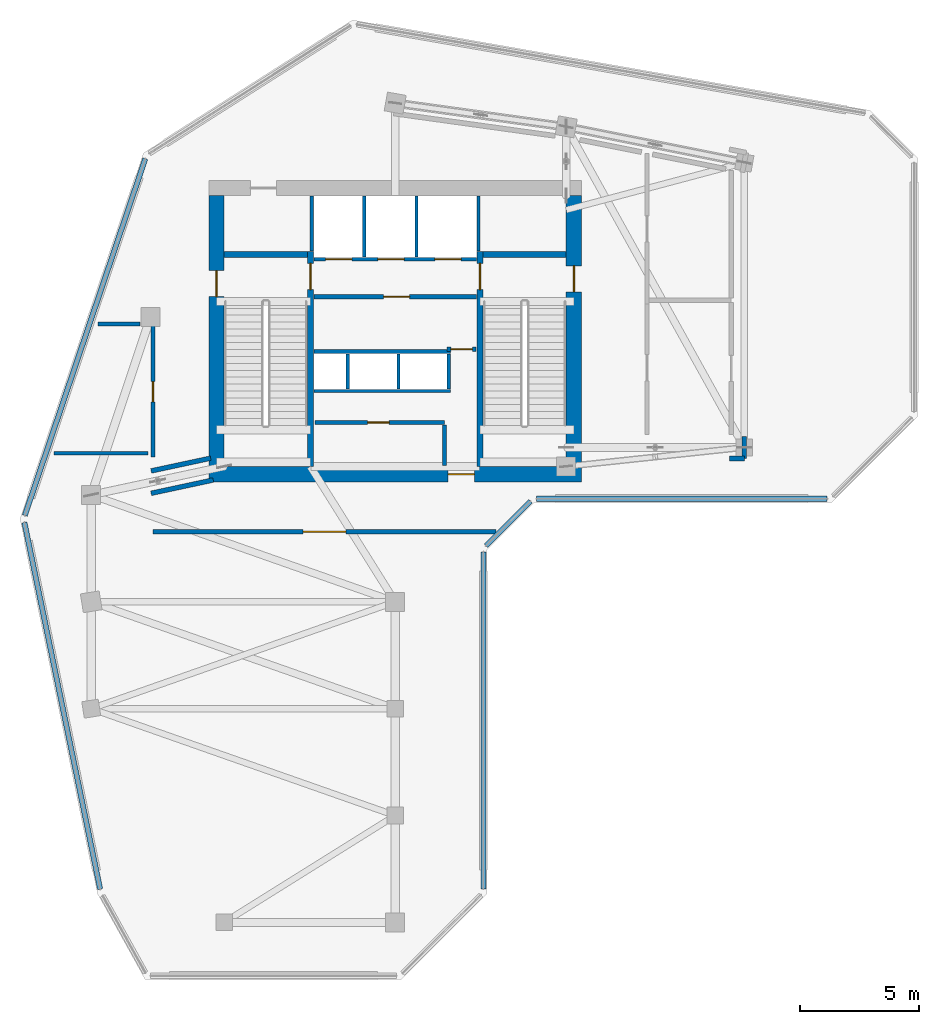
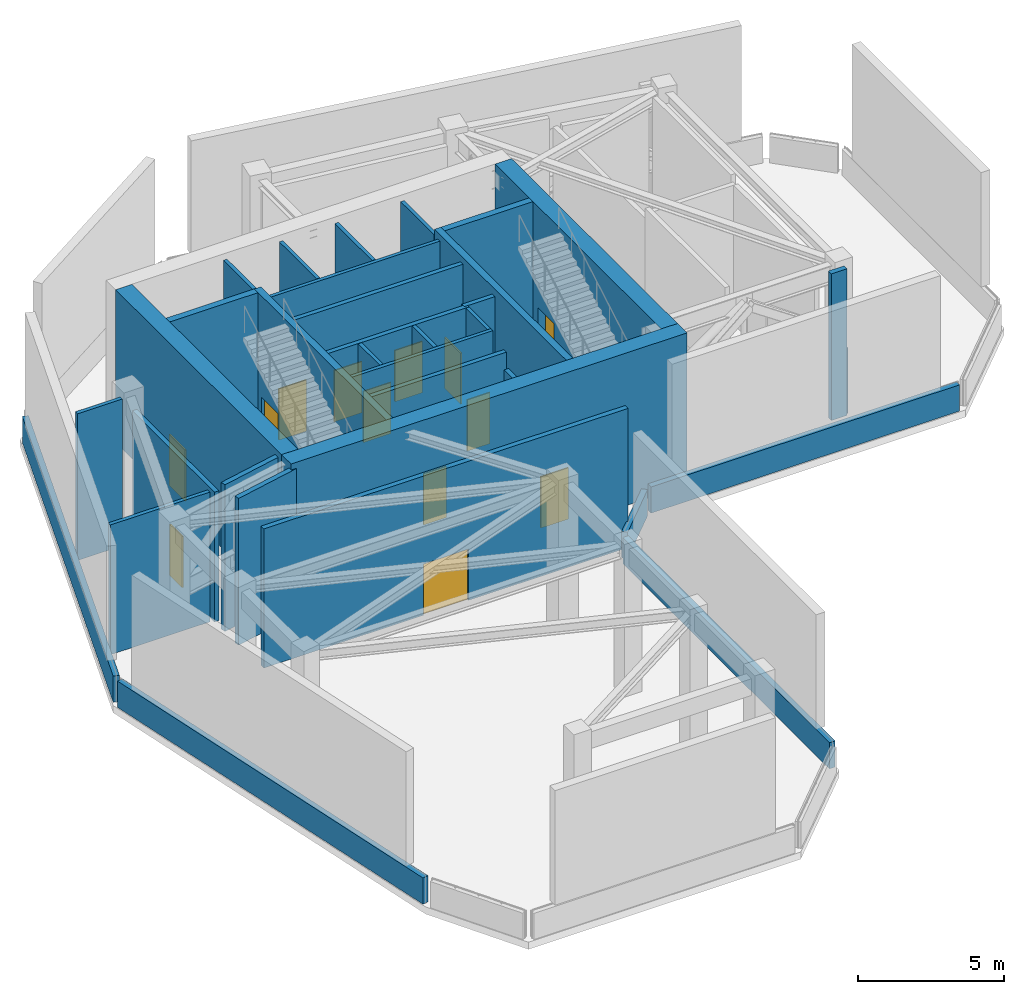
# One storey, part 6 of 10: 34 walls, 13 doors, 13 openings.
"""IFC4 building model written with IfcOpenShell, lengths in metres."""

from ifc_helpers import new_model, si_unit, direction, frame, frame_2d, origin, place, context, subcontext, project, spatial, rectangle, extrude, source, transform, mapped, material, layer, layer_set, type_object, element, fill, save


model = new_model("IFC4")

# Units and contexts
model_context = context("Model", 3, precision=1e-05, world=origin(), true_north=direction((0.0, 1.0)))
body_context = subcontext(model_context, "Body", "Model", "MODEL_VIEW")
ifc_project = project(units=[si_unit("LENGTHUNIT", "METRE"), si_unit("AREAUNIT", "SQUARE_METRE"), si_unit("VOLUMEUNIT", "CUBIC_METRE"), si_unit("PLANEANGLEUNIT", "RADIAN"), si_unit("MASSUNIT", "GRAM", prefix="KILO")], contexts=[model_context])

# Site, building, storey
site_placement = place(None, origin())
site = spatial("IfcSite", under=ifc_project, at=site_placement, CompositionType="ELEMENT")
building_placement = place(site_placement, origin())
building = spatial("IfcBuilding", under=site, at=building_placement, Name="Calvemar Wedge Station Tower", CompositionType="ELEMENT")
storey_placement = place(building_placement, frame((0.0, 0.0, 242.89990234375)))
storey = spatial("IfcBuildingStorey", under=building, at=storey_placement, Name="L62", CompositionType="ELEMENT", Elevation=242.89990234375)

# Wall, opening, door
ifc_material_1 = material(Name="Concrete C50", Category="concrete")
ifc_layer_1 = layer(ifc_material_1, 0.260009765625)
ifc_layer_set_1 = layer_set([ifc_layer_1], Name="Concrete C50")
wall_type_1 = type_object("IfcWallType", Name="SW-CORE-260", PredefinedType="SHEAR", material=ifc_layer_set_1)
wall_1_placement = place(storey_placement, frame((20.22998046875, 34.199951171875, 0.0), z_axis=(0.0, 0.0, 1.0), x_axis=(0.0, 1.0, 0.0)))
wall_1 = element("IfcWall", 1, at=wall_1_placement, inside=storey, type_object=wall_type_1, Name="Storey L62 Core Shear Wall SPINE-W", PredefinedType="SHEAR", context=body_context, shape_type="SweptSolid", body=[
    extrude(rectangle(XDim=9.06005859375, YDim=0.260009765625, at=frame_2d((4.530029296875, 0.0))), origin(), (0.0, 0.0, 1.0), 6.400146484375),
])
shared_shape_1 = source(origin(), body_context, "Body", "SweptSolid", [
    extrude(rectangle(XDim=1.10009765625, YDim=2.14990234375, at=frame_2d((0.550048828125, 1.074951171875))), frame((0.0, 0.14013671875, 0.0), z_axis=(0.0, -1.0, 0.0), x_axis=(1.0, 0.0, 0.0)), (0.0, 0.0, 1.0), 0.280029296875),
])
opening_1_placement = place(wall_1_placement, frame((7.449951171875, 0.0, 0.0)))
opening_1 = element("IfcOpeningElement", 2, at=opening_1_placement, cuts=wall_1, Name="Opening FD-90", PredefinedType="OPENING", context=body_context, shape_type="MappedRepresentation", body=[
    mapped(shared_shape_1, transform((0.0, 0.0, 0.0), scale=1.0)),
])
ifc_material_2 = material(Name="Galvanized fire-rated steel door leaf P-90", Category="steel")
door_type_1 = type_object("IfcDoorType", Name="DR-FD90-1100", OperationType="NOTDEFINED", PredefinedType="DOOR", material=ifc_material_2)
shared_shape_2 = source(origin(), body_context, "Body", "SweptSolid", [
    extrude(rectangle(XDim=1.10009765625, YDim=2.14990234375, at=frame_2d((0.550048828125, 1.074951171875))), frame((0.0, 0.02490234375, 0.0), z_axis=(0.0, -1.0, 0.0), x_axis=(1.0, 0.0, 0.0)), (0.0, 0.0, 1.0), 0.050048828125),
])
door_1_placement = place(opening_1_placement, origin())
door_1 = element("IfcDoor", 3, at=door_1_placement, inside=storey, type_object=door_type_1, Name="L62 FF Lobby to Stair ST-C1 Door", OperationType="SINGLE_SWING_RIGHT", OverallHeight=2.14990234375, OverallWidth=1.10009765625, PredefinedType="DOOR", context=body_context, shape_type="MappedRepresentation", body=[
    mapped(shared_shape_2, transform((0.0, 0.0, 0.0), scale=1.0)),
])
fill(opening_1, door_1)

wall_2_placement = place(storey_placement, frame((27.3701171875, 34.199951171875, 0.0), z_axis=(0.0, 0.0, 1.0), x_axis=(0.0, 1.0, 0.0)))
wall_2 = element("IfcWall", 4, at=wall_2_placement, inside=storey, type_object=wall_type_1, Name="Storey L62 Core Shear Wall SPINE-E", PredefinedType="SHEAR", context=body_context, shape_type="SweptSolid", body=[
    extrude(rectangle(XDim=9.06005859375, YDim=0.260009765625, at=frame_2d((4.530029296875, 0.0))), origin(), (0.0, 0.0, 1.0), 6.400146484375),
])
opening_2_placement = place(wall_2_placement, frame((7.449951171875, 0.0, 0.0)))
opening_2 = element("IfcOpeningElement", 5, at=opening_2_placement, cuts=wall_2, Name="Opening FD-90", PredefinedType="OPENING", context=body_context, shape_type="MappedRepresentation", body=[
    mapped(shared_shape_1, transform((0.0, 0.0, 0.0), scale=1.0)),
])
door_2_placement = place(opening_2_placement, origin())
door_2 = element("IfcDoor", 6, at=door_2_placement, inside=storey, type_object=door_type_1, Name="L62 FF Lobby to Stair ST-C2 Door", OperationType="SINGLE_SWING_LEFT", OverallHeight=2.14990234375, OverallWidth=1.10009765625, PredefinedType="DOOR", context=body_context, shape_type="MappedRepresentation", body=[
    mapped(shared_shape_2, transform((0.0, 0.0, 0.0), scale=1.0)),
])
fill(opening_2, door_2)

# Walls
for number, where, z_axis, x_axis, name in (
    (7, (16.60009765625, 43.1298828125, 0.0), (0.0, 0.0, 1.0), (1.0, 0.0, 0.0), "Storey L62 Core Shear Wall STC1-N"),
    (8, (27.5, 43.1298828125, 0.0), (0.0, 0.0, 1.0), (1.0, 0.0, 0.0), "Storey L62 Core Shear Wall STC2-N"),
):
    element("IfcWall", number, at=place(storey_placement, frame(where, z_axis=z_axis, x_axis=x_axis)), inside=storey, type_object=wall_type_1, Name=name, PredefinedType="SHEAR", context=body_context, shape_type="SweptSolid", body=[
        extrude(rectangle(XDim=3.5, YDim=0.260009765625, at=frame_2d((1.75, 0.0))), origin(), (0.0, 0.0, 1.0), 6.400146484375),
    ])

# Wall, opening, door
ifc_material_3 = material(Name="Concrete C60", Category="concrete")
ifc_layer_2 = layer(ifc_material_3, 0.64990234375)
ifc_layer_set_2 = layer_set([ifc_layer_2], Name="Concrete C60")
wall_type_2 = type_object("IfcWallType", Name="SW-CORE-650", PredefinedType="SHEAR", material=ifc_layer_set_2)
wall_3_placement = place(storey_placement, frame((15.949951171875, 33.875, 0.0), z_axis=(0.0, 0.0, 1.0), x_axis=(1.0, 0.0, 0.0)))
wall_3 = element("IfcWall", 9, at=wall_3_placement, inside=storey, type_object=wall_type_2, Name="Storey L62 Core Shear Wall S", PredefinedType="SHEAR", context=body_context, shape_type="SweptSolid", body=[
    extrude(rectangle(XDim=15.699951171875, YDim=0.64990234375, at=frame_2d((7.85009765625, 0.0))), origin(), (0.0, 0.0, 1.0), 6.400146484375),
])
shared_shape_3 = source(origin(), body_context, "Body", "SweptSolid", [
    extrude(rectangle(XDim=1.10009765625, YDim=2.14990234375, at=frame_2d((0.550048828125, 1.074951171875))), frame((0.0, 0.3349609375, 0.0), z_axis=(0.0, -1.0, 0.0), x_axis=(1.0, 0.0, 0.0)), (0.0, 0.0, 1.0), 0.669921875),
])
opening_3_placement = place(wall_3_placement, frame((10.080078125, 0.0, 0.0)))
opening_3 = element("IfcOpeningElement", 10, at=opening_3_placement, cuts=wall_3, Name="Opening FD-90", PredefinedType="OPENING", context=body_context, shape_type="MappedRepresentation", body=[
    mapped(shared_shape_3, transform((0.0, 0.0, 0.0), scale=1.0)),
])
door_3_placement = place(opening_3_placement, origin())
door_3 = element("IfcDoor", 11, at=door_3_placement, inside=storey, type_object=door_type_1, Name="L62 Passenger Lift Lobby Door", OperationType="SINGLE_SWING_RIGHT", OverallHeight=2.14990234375, OverallWidth=1.10009765625, PredefinedType="DOOR", context=body_context, shape_type="MappedRepresentation", body=[
    mapped(shared_shape_2, transform((0.0, 0.0, 0.0), scale=1.0)),
])
fill(opening_3, door_3)

wall_4_placement = place(storey_placement, frame((16.27490234375, 34.199951171875, 0.0), z_axis=(0.0, 0.0, 1.0), x_axis=(0.0, 1.0, 0.0)))
wall_4 = element("IfcWall", 12, at=wall_4_placement, inside=storey, type_object=wall_type_2, Name="Storey L62 Core Shear Wall W", PredefinedType="SHEAR", context=body_context, shape_type="SweptSolid", body=[
    extrude(rectangle(XDim=11.400146484375, YDim=0.64990234375, at=frame_2d((5.7001953125, 0.0))), origin(), (0.0, 0.0, 1.0), 6.400146484375),
])
opening_4_placement = place(wall_4_placement, frame((7.14990234375, 0.0, 0.0)))
opening_4 = element("IfcOpeningElement", 13, at=opening_4_placement, cuts=wall_4, Name="Opening FD-90", PredefinedType="OPENING", context=body_context, shape_type="MappedRepresentation", body=[
    mapped(shared_shape_3, transform((0.0, 0.0, 0.0), scale=1.0)),
])
door_4_placement = place(opening_4_placement, origin())
door_4 = element("IfcDoor", 14, at=door_4_placement, inside=storey, type_object=door_type_1, Name="L62 West Corridor to Exit Stair ST-C1 Door", OperationType="SINGLE_SWING_RIGHT", OverallHeight=2.14990234375, OverallWidth=1.10009765625, PredefinedType="DOOR", context=body_context, shape_type="MappedRepresentation", body=[
    mapped(shared_shape_2, transform((0.0, 0.0, 0.0), scale=1.0)),
])
fill(opening_4, door_4)

wall_5_placement = place(storey_placement, frame((31.324951171875, 34.199951171875, 0.0), z_axis=(0.0, 0.0, 1.0), x_axis=(0.0, 1.0, 0.0)))
wall_5 = element("IfcWall", 15, at=wall_5_placement, inside=storey, type_object=wall_type_2, Name="Storey L62 Core Shear Wall E", PredefinedType="SHEAR", context=body_context, shape_type="SweptSolid", body=[
    extrude(rectangle(XDim=11.400146484375, YDim=0.64990234375, at=frame_2d((5.7001953125, 0.0))), origin(), (0.0, 0.0, 1.0), 6.400146484375),
])
opening_5_placement = place(wall_5_placement, frame((7.35009765625, 0.0, 0.0)))
opening_5 = element("IfcOpeningElement", 16, at=opening_5_placement, cuts=wall_5, Name="Opening FD-90", PredefinedType="OPENING", context=body_context, shape_type="MappedRepresentation", body=[
    mapped(shared_shape_3, transform((0.0, 0.0, 0.0), scale=1.0)),
])
door_5_placement = place(opening_5_placement, origin())
door_5 = element("IfcDoor", 17, at=door_5_placement, inside=storey, type_object=door_type_1, Name="L62 East Corridor to Exit Stair ST-C2 Door", OperationType="SINGLE_SWING_LEFT", OverallHeight=2.14990234375, OverallWidth=1.10009765625, PredefinedType="DOOR", context=body_context, shape_type="MappedRepresentation", body=[
    mapped(shared_shape_2, transform((0.0, 0.0, 0.0), scale=1.0)),
])
fill(opening_5, door_5)

ifc_material_4 = material(Name="Double-stud fire-rated corridor partition")
ifc_layer_3 = layer(ifc_material_4, 0.179931640625)
ifc_layer_set_3 = layer_set([ifc_layer_3], Name="Double-stud fire-rated corridor partition")
wall_type_3 = type_object("IfcWallType", Name="W-CORR-180", PredefinedType="PARTITIONING", material=ifc_layer_set_3)
wall_6_placement = place(storey_placement, frame((27.219970703125, 41.35009765625, 0.0), z_axis=(0.0, 0.0, 1.0), x_axis=(-1.0, 0.0, 0.0)))
wall_6 = element("IfcWall", 18, at=wall_6_placement, inside=storey, type_object=wall_type_3, Name="Storey L62 Interior Partition WL-L62-001", PredefinedType="PARTITIONING", context=body_context, shape_type="SweptSolid", body=[
    extrude(rectangle(XDim=6.840087890625, YDim=0.179931640625, at=frame_2d((3.419921875, 0.0))), origin(), (0.0, 0.0, 1.0), 6.150146484375),
])
shared_shape_4 = source(origin(), body_context, "Body", "SweptSolid", [
    extrude(rectangle(XDim=1.10009765625, YDim=2.14990234375, at=frame_2d((0.550048828125, 1.074951171875))), frame((0.0, 0.10009765625, 0.0), z_axis=(0.0, -1.0, 0.0), x_axis=(1.0, 0.0, 0.0)), (0.0, 0.0, 1.0), 0.199951171875),
])
opening_6_placement = place(wall_6_placement, frame((2.809814453125, 0.0, 0.0)))
opening_6 = element("IfcOpeningElement", 19, at=opening_6_placement, cuts=wall_6, Name="Opening FD-90", PredefinedType="OPENING", context=body_context, shape_type="MappedRepresentation", body=[
    mapped(shared_shape_4, transform((0.0, 0.0, 0.0), scale=1.0)),
])
door_6_placement = place(opening_6_placement, origin())
door_6 = element("IfcDoor", 20, at=door_6_placement, inside=storey, type_object=door_type_1, Name="L62 Firefighting Lobby Door", OperationType="SINGLE_SWING_LEFT", OverallHeight=2.14990234375, OverallWidth=1.10009765625, PredefinedType="DOOR", context=body_context, shape_type="MappedRepresentation", body=[
    mapped(shared_shape_2, transform((0.0, 0.0, 0.0), scale=1.0)),
])
fill(opening_6, door_6)

wall_7_placement = place(storey_placement, frame((27.199951171875, 39.1298828125, 0.0), z_axis=(0.0, 0.0, 1.0), x_axis=(-1.0, 0.0, 0.0)))
wall_7 = element("IfcWall", 21, at=wall_7_placement, inside=storey, type_object=wall_type_3, Name="Storey L62 Interior Partition WL-L62-002", PredefinedType="PARTITIONING", context=body_context, shape_type="SweptSolid", body=[
    extrude(rectangle(XDim=1.2099609375, YDim=0.179931640625, at=frame_2d((0.60498046875, 0.0))), origin(), (0.0, 0.0, 1.0), 6.150146484375),
])
shared_shape_5 = source(origin(), body_context, "Body", "SweptSolid", [
    extrude(rectangle(XDim=0.89990234375, YDim=2.14990234375, at=frame_2d((0.449951171875, 1.074951171875))), frame((0.0, 0.10009765625, 0.0), z_axis=(0.0, -1.0, 0.0), x_axis=(1.0, 0.0, 0.0)), (0.0, 0.0, 1.0), 0.199951171875),
])
opening_7_placement = place(wall_7_placement, frame((0.155029296875, 0.0, 0.0)))
opening_7 = element("IfcOpeningElement", 22, at=opening_7_placement, cuts=wall_7, Name="Opening FD-60", PredefinedType="OPENING", context=body_context, shape_type="MappedRepresentation", body=[
    mapped(shared_shape_5, transform((0.0, 0.0, 0.0), scale=1.0)),
])
ifc_material_5 = material(Name="Fire-rated acoustic timber-core entrance door EI 60", Category="wood")
door_type_2 = type_object("IfcDoorType", Name="DR-FD60-900", OperationType="NOTDEFINED", PredefinedType="DOOR", material=ifc_material_5)
shared_shape_6 = source(origin(), body_context, "Body", "SweptSolid", [
    extrude(rectangle(XDim=0.89990234375, YDim=2.14990234375, at=frame_2d((0.449951171875, 1.074951171875))), frame((0.0, 0.02490234375, 0.0), z_axis=(0.0, -1.0, 0.0), x_axis=(1.0, 0.0, 0.0)), (0.0, 0.0, 1.0), 0.050048828125),
])
door_7_placement = place(opening_7_placement, origin())
door_7 = element("IfcDoor", 23, at=door_7_placement, inside=storey, type_object=door_type_2, Name="L62 Core Service Lobby Door", OperationType="SINGLE_SWING_RIGHT", OverallHeight=2.14990234375, OverallWidth=0.89990234375, PredefinedType="DOOR", context=body_context, shape_type="MappedRepresentation", body=[
    mapped(shared_shape_6, transform((0.0, 0.0, 0.0), scale=1.0)),
])
fill(opening_7, door_7)

wall_8_placement = place(storey_placement, frame((20.419921875, 36.050048828125, 0.0), z_axis=(0.0, 0.0, 1.0), x_axis=(1.0, 0.0, 0.0)))
wall_8 = element("IfcWall", 24, at=wall_8_placement, inside=storey, type_object=wall_type_3, Name="Storey L62 Interior Partition WL-L62-003", PredefinedType="PARTITIONING", context=body_context, shape_type="SweptSolid", body=[
    extrude(rectangle(XDim=5.4599609375, YDim=0.179931640625, at=frame_2d((2.72998046875, 0.0))), origin(), (0.0, 0.0, 1.0), 6.150146484375),
])
opening_8_placement = place(wall_8_placement, frame((2.219482421875, 0.0, 0.0)))
opening_8 = element("IfcOpeningElement", 25, at=opening_8_placement, cuts=wall_8, Name="Opening FD-60", PredefinedType="OPENING", context=body_context, shape_type="MappedRepresentation", body=[
    mapped(shared_shape_5, transform((0.0, 0.0, 0.0), scale=1.0)),
])
door_8_placement = place(opening_8_placement, origin())
door_8 = element("IfcDoor", 26, at=door_8_placement, inside=storey, type_object=door_type_2, Name="L62 Parcel and Resident Store Door", OperationType="SINGLE_SWING_LEFT", OverallHeight=2.14990234375, OverallWidth=0.89990234375, PredefinedType="DOOR", context=body_context, shape_type="MappedRepresentation", body=[
    mapped(shared_shape_6, transform((0.0, 0.0, 0.0), scale=1.0)),
])
fill(opening_8, door_8)

# Wall
wall_9_placement = place(storey_placement, frame((25.8798828125, 35.9560546875, 0.0), z_axis=(0.0, 0.0, 1.0), x_axis=(0.0, -1.0, 0.0)))
element("IfcWall", 27, at=wall_9_placement, inside=storey, type_object=wall_type_3, Name="Storey L62 Interior Partition WL-L62-004", PredefinedType="PARTITIONING", context=body_context, shape_type="SweptSolid", body=[
    extrude(rectangle(XDim=1.7060546875, YDim=0.179931640625, at=frame_2d((0.85302734375, 0.0))), origin(), (0.0, 0.0, 1.0), 5.442138671875),
])

# Wall, opening, door
wall_10_placement = place(storey_placement, frame((13.60009765625, 34.590087890625, 0.0), z_axis=(0.0, 0.0, 1.0), x_axis=(0.0, 1.0, 0.0)))
wall_10 = element("IfcWall", 28, at=wall_10_placement, inside=storey, type_object=wall_type_3, Name="Storey L62 Interior Partition WL-L62-006", PredefinedType="PARTITIONING", context=body_context, shape_type="SweptSolid", body=[
    extrude(rectangle(XDim=5.6298828125, YDim=0.179931640625, at=frame_2d((2.81494140625, 0.0))), origin(), (0.0, 0.0, 1.0), 5.442138671875),
])
shared_shape_7 = source(origin(), body_context, "Body", "SweptSolid", [
    extrude(rectangle(XDim=0.85009765625, YDim=2.14990234375, at=frame_2d((0.425048828125, 1.074951171875))), frame((0.0, 0.10009765625, 0.0), z_axis=(0.0, -1.0, 0.0), x_axis=(1.0, 0.0, 0.0)), (0.0, 0.0, 1.0), 0.199951171875),
])
opening_9_placement = place(wall_10_placement, frame((2.32958984375, 0.0, 0.0)))
opening_9 = element("IfcOpeningElement", 29, at=opening_9_placement, cuts=wall_10, Name="Opening D-02", PredefinedType="OPENING", context=body_context, shape_type="MappedRepresentation", body=[
    mapped(shared_shape_7, transform((0.0, 0.0, 0.0), scale=1.0)),
])
ifc_material_6 = material(Name="Moisture-sealed bathroom hardwood swing door", Category="wood")
door_type_3 = type_object("IfcDoorType", Name="DR-WET-850", OperationType="NOTDEFINED", PredefinedType="DOOR", material=ifc_material_6)
shared_shape_8 = source(origin(), body_context, "Body", "SweptSolid", [
    extrude(rectangle(XDim=0.85009765625, YDim=2.14990234375, at=frame_2d((0.425048828125, 1.074951171875))), frame((0.0, 0.02490234375, 0.0), z_axis=(0.0, -1.0, 0.0), x_axis=(1.0, 0.0, 0.0)), (0.0, 0.0, 1.0), 0.050048828125),
])
door_9_placement = place(opening_9_placement, origin())
door_9 = element("IfcDoor", 30, at=door_9_placement, inside=storey, type_object=door_type_3, Name="L62 Accessible WC Door", OperationType="SINGLE_SWING_LEFT", OverallHeight=2.14990234375, OverallWidth=0.85009765625, PredefinedType="DOOR", context=body_context, shape_type="MappedRepresentation", body=[
    mapped(shared_shape_8, transform((0.0, 0.0, 0.0), scale=1.0)),
])
fill(opening_9, door_9)

# Wall, openings, doors
ifc_material_7 = material(Name="Reinforced concrete blockwork lift shaft wall", Category="masonry")
ifc_layer_4 = layer(ifc_material_7, 0.139892578125)
ifc_layer_set_4 = layer_set([ifc_layer_4], Name="Reinforced concrete blockwork lift shaft wall")
wall_type_4 = type_object("IfcWallType", Name="W-LIFT-160", PredefinedType="SOLIDWALL", material=ifc_layer_set_4)
wall_11_placement = place(storey_placement, frame((20.3701171875, 42.929931640625, 0.0), z_axis=(0.0, 0.0, 1.0), x_axis=(1.0, 0.0, 0.0)))
wall_11 = element("IfcWall", 31, at=wall_11_placement, inside=storey, type_object=wall_type_4, Name="Storey L62 Firefighting and Service Lift Shaft Front Wall", PredefinedType="SOLIDWALL", context=body_context, shape_type="SweptSolid", body=[
    extrude(rectangle(XDim=6.85986328125, YDim=0.139892578125, at=frame_2d((3.429931640625, 0.0))), origin(), (0.0, 0.0, 1.0), 6.150146484375),
])
shared_shape_9 = source(origin(), body_context, "Body", "SweptSolid", [
    extrude(rectangle(XDim=1.10009765625, YDim=2.14990234375, at=frame_2d((0.550048828125, 1.074951171875))), frame((0.0, 0.080078125, 0.0), z_axis=(0.0, -1.0, 0.0), x_axis=(1.0, 0.0, 0.0)), (0.0, 0.0, 1.0), 0.159912109375),
])
opening_10_placement = place(wall_11_placement, frame((0.5, 0.0, 0.0)))
opening_10 = element("IfcOpeningElement", 32, at=opening_10_placement, cuts=wall_11, Name="Opening LD-FF", PredefinedType="OPENING", context=body_context, shape_type="MappedRepresentation", body=[
    mapped(shared_shape_9, transform((0.0, 0.0, 0.0), scale=1.0)),
])
opening_11_placement = place(wall_11_placement, frame((2.699951171875, 0.0, 0.0)))
opening_11 = element("IfcOpeningElement", 33, at=opening_11_placement, cuts=wall_11, Name="Opening LD-FF", PredefinedType="OPENING", context=body_context, shape_type="MappedRepresentation", body=[
    mapped(shared_shape_9, transform((0.0, 0.0, 0.0), scale=1.0)),
])
opening_12_placement = place(wall_11_placement, frame((5.10009765625, 0.0, 0.0)))
opening_12 = element("IfcOpeningElement", 34, at=opening_12_placement, cuts=wall_11, Name="Opening LD-STN", PredefinedType="OPENING", context=body_context, shape_type="MappedRepresentation", body=[
    mapped(shared_shape_9, transform((0.0, 0.0, 0.0), scale=1.0)),
])
ifc_material_8 = material(Name="Stainless steel firefighting lift sliding landing door", Category="steel")
door_type_4 = type_object("IfcDoorType", Name="DR-LD-FF-1100", OperationType="SLIDING_TO_LEFT", PredefinedType="DOOR", material=ifc_material_8)
shared_shape_10 = source(origin(), body_context, "Body", "SweptSolid", [
    extrude(rectangle(XDim=1.10009765625, YDim=2.14990234375, at=frame_2d((0.550048828125, 1.074951171875))), frame((0.0, 0.02490234375, 0.0), z_axis=(0.0, -1.0, 0.0), x_axis=(1.0, 0.0, 0.0)), (0.0, 0.0, 1.0), 0.050048828125),
])
door_10_placement = place(opening_10_placement, origin())
door_10 = element("IfcDoor", 35, at=door_10_placement, inside=storey, type_object=door_type_4, Name="L62 Lift FF-01 Sliding Landing Door", OperationType="SLIDING_TO_LEFT", OverallHeight=2.14990234375, OverallWidth=1.10009765625, PredefinedType="DOOR", context=body_context, shape_type="MappedRepresentation", body=[
    mapped(shared_shape_10, transform((0.0, 0.0, 0.0), scale=1.0)),
])
fill(opening_10, door_10)
door_11_placement = place(opening_11_placement, origin())
door_11 = element("IfcDoor", 36, at=door_11_placement, inside=storey, type_object=door_type_4, Name="L62 Lift FF-02 Sliding Landing Door", OperationType="SLIDING_TO_RIGHT", OverallHeight=2.14990234375, OverallWidth=1.10009765625, PredefinedType="DOOR", context=body_context, shape_type="MappedRepresentation", body=[
    mapped(shared_shape_10, transform((0.0, 0.0, 0.0), scale=1.0)),
])
fill(opening_11, door_11)
ifc_material_9 = material(Name="Stainless steel transit lift sliding landing door", Category="steel")
door_type_5 = type_object("IfcDoorType", Name="DR-LD-PAX-1100", OperationType="SLIDING_TO_LEFT", PredefinedType="DOOR", material=ifc_material_9)
shared_shape_11 = source(origin(), body_context, "Body", "SweptSolid", [
    extrude(rectangle(XDim=1.10009765625, YDim=2.14990234375, at=frame_2d((0.550048828125, 1.074951171875))), frame((0.0, 0.02490234375, 0.0), z_axis=(0.0, -1.0, 0.0), x_axis=(1.0, 0.0, 0.0)), (0.0, 0.0, 1.0), 0.050048828125),
])
door_12_placement = place(opening_12_placement, origin())
door_12 = element("IfcDoor", 37, at=door_12_placement, inside=storey, type_object=door_type_5, Name="L62 Lift SV-01 Sliding Landing Door", OperationType="SLIDING_TO_LEFT", OverallHeight=2.14990234375, OverallWidth=1.10009765625, PredefinedType="DOOR", context=body_context, shape_type="MappedRepresentation", body=[
    mapped(shared_shape_11, transform((0.0, 0.0, 0.0), scale=1.0)),
])
fill(opening_12, door_12)

# Walls
for number, where, z_axis, x_axis, name in (
    (38, (20.2900390625, 43.280029296875, 0.0), (0.0, 0.0, 1.0), (0.0, 1.0, 0.0), "Storey L62 Firefighting Lift Shaft Enclosure Wall W"),
    (39, (27.31005859375, 43.280029296875, 0.0), (0.0, 0.0, 1.0), (0.0, 1.0, 0.0), "Storey L62 Firefighting Lift Shaft Enclosure Wall E"),
):
    element("IfcWall", number, at=place(storey_placement, frame(where, z_axis=z_axis, x_axis=x_axis)), inside=storey, type_object=wall_type_4, Name=name, PredefinedType="SOLIDWALL", context=body_context, shape_type="SweptSolid", body=[
        extrude(rectangle(XDim=2.300048828125, YDim=0.139892578125, at=frame_2d((1.14990234375, 0.0))), origin(), (0.0, 0.0, 1.0), 6.150146484375),
    ])
for number, where, z_axis, x_axis, name in (
    (40, (22.5, 43.02001953125, 0.0), (0.0, 0.0, 1.0), (0.0, 1.0, 0.0), "Storey L62 Firefighting Lift Shaft Enclosure Wall D1"),
    (41, (24.699951171875, 43.02001953125, 0.0), (0.0, 0.0, 1.0), (0.0, 1.0, 0.0), "Storey L62 Firefighting Lift Shaft Enclosure Wall D2"),
):
    element("IfcWall", number, at=place(storey_placement, frame(where, z_axis=z_axis, x_axis=x_axis)), inside=storey, type_object=wall_type_4, Name=name, PredefinedType="SOLIDWALL", context=body_context, shape_type="SweptSolid", body=[
        extrude(rectangle(XDim=2.56005859375, YDim=0.139892578125, at=frame_2d((1.280029296875, 0.0))), origin(), (0.0, 0.0, 1.0), 6.150146484375),
    ])
wall_12_placement = place(storey_placement, frame((20.3798828125, 37.3798828125, 0.0), z_axis=(0.0, 0.0, 1.0), x_axis=(1.0, 0.0, 0.0)))
element("IfcWall", 42, at=wall_12_placement, inside=storey, type_object=wall_type_4, Name="Storey L62 Upper Passenger Lift Bank Front Wall", PredefinedType="SOLIDWALL", context=body_context, shape_type="SweptSolid", body=[
    extrude(rectangle(XDim=5.75, YDim=0.139892578125, at=frame_2d((2.875, 0.0))), origin(), (0.0, 0.0, 1.0), 6.150146484375),
])
for number, where, z_axis, x_axis, name in (
    (43, (26.06005859375, 37.4599609375, 0.0), (0.0, 0.0, 1.0), (0.0, 1.0, 0.0), "Storey L62 Upper Passenger Lift Shaft Wall E"),
    (44, (21.794921875, 37.4599609375, 0.0), (0.0, 0.0, 1.0), (0.0, 1.0, 0.0), "Storey L62 Upper Passenger Lift Shaft Wall D1"),
    (45, (23.93505859375, 37.4599609375, 0.0), (0.0, 0.0, 1.0), (0.0, 1.0, 0.0), "Storey L62 Upper Passenger Lift Shaft Wall D2"),
):
    element("IfcWall", number, at=place(storey_placement, frame(where, z_axis=z_axis, x_axis=x_axis)), inside=storey, type_object=wall_type_4, Name=name, PredefinedType="SOLIDWALL", context=body_context, shape_type="SweptSolid", body=[
        extrude(rectangle(XDim=1.47998046875, YDim=0.139892578125, at=frame_2d((0.739990234375, 0.0))), origin(), (0.0, 0.0, 1.0), 6.150146484375),
    ])
ifc_material_10 = material(Name="Precast concrete C45", Category="concrete")
ifc_layer_5 = layer(ifc_material_10, 0.219970703125)
ifc_layer_set_5 = layer_set([ifc_layer_5], Name="Precast concrete C45")
wall_type_5 = type_object("IfcWallType", Name="W-PARA-220", PredefinedType="PARAPET", material=ifc_layer_set_5)
wall_13_placement = place(storey_placement, frame((27.513916015625, 16.412109375, 0.0), z_axis=(0.0, 0.0, 1.0), x_axis=(0.0, 1.0, 0.0)))
element("IfcWall", 46, at=wall_13_placement, inside=storey, type_object=wall_type_5, Name="Wind Floor L62 Acoustic Curb Wall 4", PredefinedType="PARAPET", context=body_context, shape_type="SweptSolid", body=[
    extrude(rectangle(XDim=14.19189453125, YDim=0.219970703125, at=frame_2d((7.095947265625, 0.0))), origin(), (0.0, 0.0, 1.0), 1.10009765625),
])
wall_14_placement = place(storey_placement, frame((27.6201171875, 30.860107421875, 0.0), z_axis=(0.0, 0.0, 1.0), x_axis=(0.707106781187, 0.707106781187, 0.0)))
element("IfcWall", 47, at=wall_14_placement, inside=storey, type_object=wall_type_5, Name="Wind Floor L62 Acoustic Curb Wall 5", PredefinedType="PARAPET", context=body_context, shape_type="SweptSolid", body=[
    extrude(rectangle(XDim=2.652587890625, YDim=0.219970703125, at=frame_2d((1.326171875, 0.0))), origin(), (0.0, 0.0, 1.0), 1.10009765625),
])
wall_15_placement = place(storey_placement, frame((29.751953125, 32.842041015625, 0.0), z_axis=(0.0, 0.0, 1.0), x_axis=(1.0, 0.0, 0.0)))
element("IfcWall", 48, at=wall_15_placement, inside=storey, type_object=wall_type_5, Name="Wind Floor L62 Acoustic Curb Wall 6", PredefinedType="PARAPET", context=body_context, shape_type="SweptSolid", body=[
    extrude(rectangle(XDim=12.23583984375, YDim=0.219970703125, at=frame_2d((6.117919921875, 0.0))), origin(), (0.0, 0.0, 1.0), 1.10009765625),
])
wall_16_placement = place(storey_placement, frame((13.277099609375, 47.15966796875, 0.0), z_axis=(0.0, 0.0, 1.0), x_axis=(-0.319910438234, -0.947447788276, 0.0)))
element("IfcWall", 49, at=wall_16_placement, inside=storey, type_object=wall_type_5, Name="Wind Floor L62 Acoustic Curb Wall 12", PredefinedType="PARAPET", context=body_context, shape_type="SweptSolid", body=[
    extrude(rectangle(XDim=15.860595703125, YDim=0.219970703125, at=frame_2d((7.93017578125, 0.0))), origin(), (0.0, 0.0, 1.0), 1.10009765625),
])
wall_17_placement = place(storey_placement, frame((8.185546875, 31.843505859375, 0.0), z_axis=(0.0, 0.0, 1.0), x_axis=(0.202310724798, -0.979321382709, 0.0)))
element("IfcWall", 50, at=wall_17_placement, inside=storey, type_object=wall_type_5, Name="Wind Floor L62 Acoustic Curb Wall 13", PredefinedType="PARAPET", context=body_context, shape_type="SweptSolid", body=[
    extrude(rectangle(XDim=15.77001953125, YDim=0.219970703125, at=frame_2d((7.885009765625, 0.0))), origin(), (0.0, 0.0, 1.0), 1.10009765625),
])
ifc_material_11 = material(Name="Concrete blockwork and fireboard shaft wall", Category="masonry")
ifc_layer_6 = layer(ifc_material_11, 0.199951171875)
ifc_layer_set_6 = layer_set([ifc_layer_6], Name="Concrete blockwork and fireboard shaft wall")
wall_type_6 = type_object("IfcWallType", Name="W-SHAFT-200", PredefinedType="SOLIDWALL", material=ifc_layer_set_6)
wall_18_placement = place(storey_placement, frame((20.3798828125, 39.0400390625, 0.0), z_axis=(0.0, 0.0, 1.0), x_axis=(1.0, 0.0, 0.0)))
element("IfcWall", 51, at=wall_18_placement, inside=storey, type_object=wall_type_6, Name="Storey L62 Upper Passenger Lift Bank Rear Shaft Wall", PredefinedType="SOLIDWALL", context=body_context, shape_type="SweptSolid", body=[
    extrude(rectangle(XDim=5.75, YDim=0.179931640625, at=frame_2d((2.875, 0.0))), origin(), (0.0, 0.0, 1.0), 6.150146484375),
])

# Wall, opening, door
wall_19_placement = place(storey_placement, frame((28.047119140625, 31.449951171875, 0.0), z_axis=(0.0, 0.0, 1.0), x_axis=(-1.0, 0.0, 0.0)))
wall_19 = element("IfcWall", 52, at=wall_19_placement, inside=storey, type_object=wall_type_6, Name="Storey L62 Interior Partition WL-L62-005", PredefinedType="SOLIDWALL", context=body_context, shape_type="SweptSolid", body=[
    extrude(rectangle(XDim=14.447021484375, YDim=0.199951171875, at=frame_2d((7.2236328125, 0.0))), origin(), (0.0, 0.0, 1.0), 5.833984375),
])
shared_shape_12 = source(origin(), body_context, "Body", "SweptSolid", [
    extrude(rectangle(XDim=1.800048828125, YDim=2.14990234375, at=frame_2d((0.89990234375, 1.074951171875))), frame((0.0, 0.10986328125, 0.0), z_axis=(0.0, -1.0, 0.0), x_axis=(1.0, 0.0, 0.0)), (0.0, 0.0, 1.0), 0.219970703125),
])
opening_13_placement = place(wall_19_placement, frame((6.323486328125, 0.0, 0.0)))
opening_13 = element("IfcOpeningElement", 53, at=opening_13_placement, cuts=wall_19, Name="Opening DD-180", PredefinedType="OPENING", context=body_context, shape_type="MappedRepresentation", body=[
    mapped(shared_shape_12, transform((0.0, 0.0, 0.0), scale=1.0)),
])
ifc_material_12 = material(Name="Double-leaf fire-rated refuge and concourse door EI 60")
door_type_6 = type_object("IfcDoorType", Name="DR-DBL-1800", OperationType="DOUBLE_DOOR_SINGLE_SWING", PredefinedType="DOOR", material=ifc_material_12)
shared_shape_13 = source(origin(), body_context, "Body", "SweptSolid", [
    extrude(rectangle(XDim=1.800048828125, YDim=2.14990234375, at=frame_2d((0.89990234375, 1.074951171875))), frame((0.0, 0.02490234375, 0.0), z_axis=(0.0, -1.0, 0.0), x_axis=(1.0, 0.0, 0.0)), (0.0, 0.0, 1.0), 0.050048828125),
])
door_13_placement = place(opening_13_placement, origin())
door_13 = element("IfcDoor", 54, at=door_13_placement, inside=storey, type_object=door_type_6, Name="L62 Fire Refuge Room Door", OperationType="SINGLE_SWING_RIGHT", OverallHeight=2.14990234375, OverallWidth=1.800048828125, PredefinedType="DOOR", context=body_context, shape_type="MappedRepresentation", body=[
    mapped(shared_shape_13, transform((0.0, 0.0, 0.0), scale=1.0)),
])
fill(opening_13, door_13)

# Walls
wall_20_placement = place(storey_placement, frame((38.5, 35.4599609375, 0.0), z_axis=(0.0, 0.0, 1.0), x_axis=(0.0, -1.0, 0.0)))
element("IfcWall", 55, at=wall_20_placement, inside=storey, type_object=wall_type_6, Name="Storey L62 Fire-Rated Truss Casing Wall WL-L62-018", PredefinedType="SOLIDWALL", context=body_context, shape_type="SweptSolid", body=[
    extrude(rectangle(XDim=0.919921875, YDim=0.199951171875, at=frame_2d((0.4599609375, 0.0))), origin(), (0.0, 0.0, 1.0), 2.7421875),
])
wall_21_placement = place(storey_placement, frame((38.5, 34.5400390625, 0.0), z_axis=(0.0, 0.0, 1.0), x_axis=(-1.0, 0.0, 0.0)))
element("IfcWall", 56, at=wall_21_placement, inside=storey, type_object=wall_type_6, Name="Storey L62 Fire-Rated Truss Casing Wall WL-L62-019", PredefinedType="SOLIDWALL", context=body_context, shape_type="SweptSolid", body=[
    extrude(rectangle(XDim=0.618408203125, YDim=0.199951171875, at=frame_2d((0.30908203125, 0.0))), origin(), (0.0, 0.0, 1.0), 6.150146484375),
])
wall_22_placement = place(storey_placement, frame((13.521728515625, 34.0107421875, 0.0), z_axis=(0.0, 0.0, 1.0), x_axis=(0.97779405676, 0.209568085749, 0.0)))
element("IfcWall", 57, at=wall_22_placement, inside=storey, type_object=wall_type_6, Name="Storey L62 Fire-Rated Truss Casing Wall WL-L62-020", PredefinedType="SOLIDWALL", context=body_context, shape_type="SweptSolid", body=[
    extrude(rectangle(XDim=2.565185546875, YDim=0.199951171875, at=frame_2d((1.28271484375, 0.0))), origin(), (0.0, 0.0, 1.0), 6.150146484375),
])
wall_23_placement = place(storey_placement, frame((16.135498046875, 33.6298828125, 0.0), z_axis=(0.0, 0.0, 1.0), x_axis=(-0.977814433873, -0.209472988494, 0.0)))
element("IfcWall", 58, at=wall_23_placement, inside=storey, type_object=wall_type_6, Name="Storey L62 Fire-Rated Truss Casing Wall WL-L62-021", PredefinedType="SOLIDWALL", context=body_context, shape_type="SweptSolid", body=[
    extrude(rectangle(XDim=2.6748046875, YDim=0.199951171875, at=frame_2d((1.33740234375, 0.0))), origin(), (0.0, 0.0, 1.0), 6.150146484375),
])
ifc_material_13 = material(Name="Moisture-resistant acoustic bathroom partition")
ifc_layer_7 = layer(ifc_material_13, 0.14990234375)
ifc_layer_set_7 = layer_set([ifc_layer_7], Name="Moisture-resistant acoustic bathroom partition")
wall_type_7 = type_object("IfcWallType", Name="W-WET-150", PredefinedType="PARTITIONING", material=ifc_layer_set_7)
wall_24_placement = place(storey_placement, frame((11.28076171875, 40.199951171875, 0.0), z_axis=(0.0, 0.0, 1.0), x_axis=(1.0, 0.0, 0.0)))
element("IfcWall", 59, at=wall_24_placement, inside=storey, type_object=wall_type_7, Name="Storey L62 Bathroom Enclosure Wall WL-L62-012", PredefinedType="PARTITIONING", context=body_context, shape_type="SweptSolid", body=[
    extrude(rectangle(XDim=1.779296875, YDim=0.14990234375, at=frame_2d((0.8896484375, 0.0))), origin(), (0.0, 0.0, 1.0), 6.150146484375),
])
wall_25_placement = place(storey_placement, frame((13.3798828125, 34.75, 0.0), z_axis=(0.0, 0.0, 1.0), x_axis=(-1.0, 0.0, 0.0)))
element("IfcWall", 60, at=wall_25_placement, inside=storey, type_object=wall_type_7, Name="Storey L62 Bathroom Enclosure Wall WL-L62-013", PredefinedType="PARTITIONING", context=body_context, shape_type="SweptSolid", body=[
    extrude(rectangle(XDim=3.939453125, YDim=0.14990234375, at=frame_2d((1.9697265625, 0.0))), origin(), (0.0, 0.0, 1.0), 5.442138671875),
])

save(model, "model.ifc")
